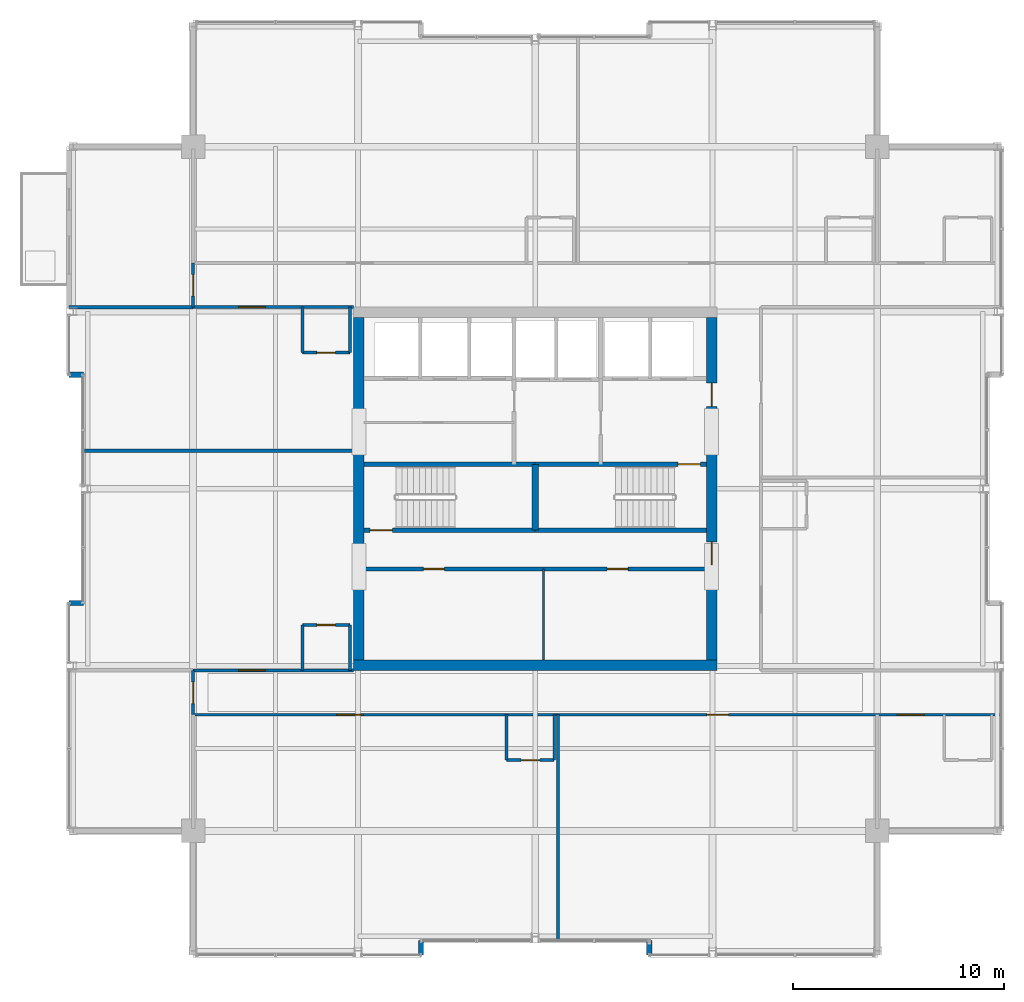
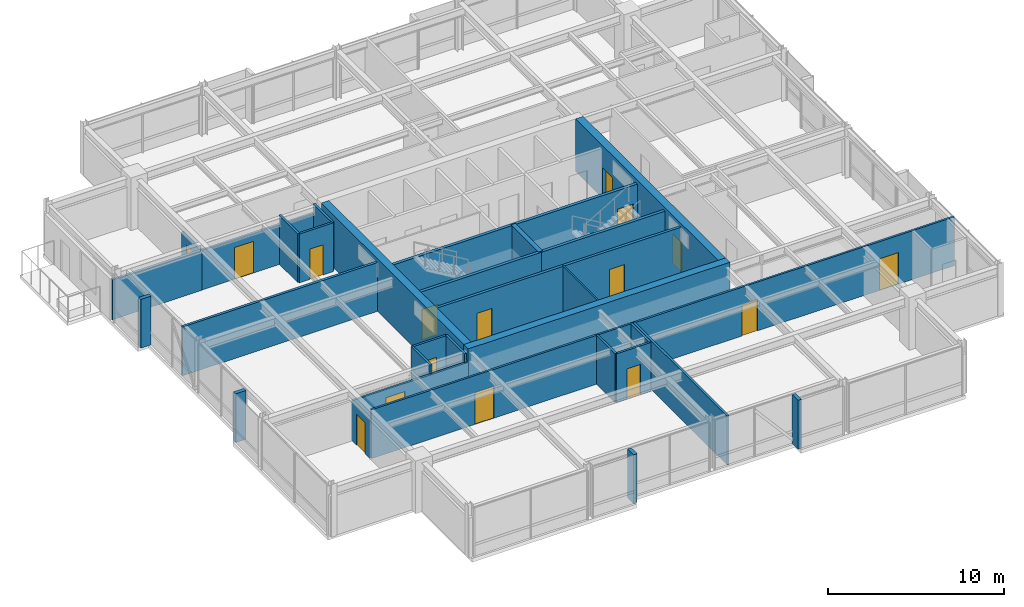
# One storey, part 28 of 33: 31 walls, 16 doors, 16 openings.
"""IFC4 building model written with IfcOpenShell, lengths in metres."""

from ifc_helpers import new_model, si_unit, direction, frame, frame_2d, origin, place, context, subcontext, project, spatial, rectangle, extrude, material, layer, layer_set, type_object, element, fill, save


model = new_model("IFC4")

# Units and contexts
model_context = context("Model", 3, precision=1e-05, world=origin(), true_north=direction((0.0, 1.0)))
body_context = subcontext(model_context, "Body", "Model", "MODEL_VIEW")
ifc_project = project(units=[si_unit("LENGTHUNIT", "METRE"), si_unit("AREAUNIT", "SQUARE_METRE"), si_unit("VOLUMEUNIT", "CUBIC_METRE"), si_unit("PLANEANGLEUNIT", "RADIAN"), si_unit("MASSUNIT", "GRAM", prefix="KILO")], contexts=[model_context])

# Site, building, storey
site_placement = place(None, origin())
site = spatial("IfcSite", under=ifc_project, at=site_placement, CompositionType="ELEMENT")
building_placement = place(site_placement, origin())
building = spatial("IfcBuilding", under=site, at=building_placement, Name="Drelvath Grand Hotel", CompositionType="ELEMENT")
storey_placement = place(building_placement, frame((0.0, 0.0, 279.60009765625)))
storey = spatial("IfcBuildingStorey", under=building, at=storey_placement, Name="L73", CompositionType="ELEMENT", Elevation=279.60009765625)

# Wall
ifc_material_1 = material(Name="Gypsum Partition Board")
ifc_layer_1 = layer(ifc_material_1, 0.10009765625)
ifc_layer_set_1 = layer_set([ifc_layer_1], Name="Gypsum Partition Board")
wall_type_1 = type_object("IfcWallType", Name="Core Closet Partition 100", PredefinedType="PARTITIONING", material=ifc_layer_set_1)
wall_1_placement = place(storey_placement, frame((0.39990234375, 18.89990234375, 0.0), z_axis=(0.0, 0.0, 1.0), x_axis=(0.0, 1.0, 0.0)))
element("IfcWall", 1, at=wall_1_placement, inside=storey, type_object=wall_type_1, Name="L73 Upper Core Split 0", PredefinedType="PARTITIONING", context=body_context, shape_type="SweptSolid", body=[
    extrude(rectangle(XDim=4.300048828125, YDim=0.10009765625, at=frame_2d((2.14990234375, 0.0))), origin(), (0.0, 0.0, 1.0), 3.389892578125),
])

# Wall, opening, door
ifc_material_2 = material(Name="Concrete C40/50", Category="concrete")
ifc_layer_2 = layer(ifc_material_2, 0.199951171875)
ifc_layer_set_2 = layer_set([ifc_layer_2], Name="Concrete C40/50")
wall_type_2 = type_object("IfcWallType", Name="Core Shaft Fire Wall 200", PredefinedType="SOLIDWALL", material=ifc_layer_set_2)
wall_2_placement = place(storey_placement, frame((-8.10009765625, 25.0400390625, 0.0), z_axis=(0.0, 0.0, 1.0), x_axis=(1.0, 0.0, 0.0)))
wall_2 = element("IfcWall", 2, at=wall_2_placement, inside=storey, type_object=wall_type_2, Name="L73 Stair ST-1 South Wall", PredefinedType="SOLIDWALL", context=body_context, shape_type="SweptSolid", body=[
    extrude(rectangle(XDim=8.10009765625, YDim=0.199951171875, at=frame_2d((4.050048828125, 0.0))), origin(), (0.0, 0.0, 1.0), 3.389892578125),
])
opening_1_placement = place(wall_2_placement, frame((0.280029296875, 0.0, 0.0)))
opening_1 = element("IfcOpeningElement", 3, at=opening_1_placement, cuts=wall_2, Name="Opening D-T5G2-001", PredefinedType="OPENING", context=body_context, shape_type="SweptSolid", body=[
    extrude(rectangle(XDim=1.050048828125, YDim=2.10009765625, at=frame_2d((0.52490234375, 1.050048828125))), frame((0.0, 0.10986328125, 0.0), z_axis=(0.0, -1.0, 0.0), x_axis=(1.0, 0.0, 0.0)), (0.0, 0.0, 1.0), 0.219970703125),
])
ifc_material_3 = material(Name="Painted Steel S275", Category="steel")
door_type_1 = type_object("IfcDoorType", Name="Tower Stairwell Fire Door 1050x2100", OperationType="NOTDEFINED", PredefinedType="DOOR", material=ifc_material_3)
door_1_placement = place(opening_1_placement, origin())
door_1 = element("IfcDoor", 4, at=door_1_placement, inside=storey, type_object=door_type_1, Name="L73 Exit Stair ST-1 Door", OperationType="SINGLE_SWING_LEFT", OverallHeight=2.10009765625, OverallWidth=1.050048828125, PredefinedType="DOOR", context=body_context, shape_type="SweptSolid", body=[
    extrude(rectangle(XDim=1.050048828125, YDim=2.10009765625, at=frame_2d((0.52490234375, 1.050048828125))), frame((0.0, 0.02490234375, 0.0), z_axis=(0.0, -1.0, 0.0), x_axis=(1.0, 0.0, 0.0)), (0.0, 0.0, 1.0), 0.050048828125),
])
fill(opening_1, door_1)

# Walls
for number, where, z_axis, x_axis, name in (
    (5, (-8.10009765625, 28.159912109375, 0.0), (0.0, 0.0, 1.0), (1.0, 0.0, 0.0), "L73 Stair ST-1 North Wall"),
    (6, (0.0, 25.0400390625, 0.0), (0.0, 0.0, 1.0), (1.0, 0.0, 0.0), "L73 Stair ST-2 South Wall"),
):
    element("IfcWall", number, at=place(storey_placement, frame(where, z_axis=z_axis, x_axis=x_axis)), inside=storey, type_object=wall_type_2, Name=name, PredefinedType="SOLIDWALL", context=body_context, shape_type="SweptSolid", body=[
        extrude(rectangle(XDim=8.10009765625, YDim=0.199951171875, at=frame_2d((4.050048828125, 0.0))), origin(), (0.0, 0.0, 1.0), 3.389892578125),
    ])

# Wall, opening, door
wall_3_placement = place(storey_placement, frame((8.10009765625, 28.159912109375, 0.0), z_axis=(0.0, 0.0, 1.0), x_axis=(-1.0, 0.0, 0.0)))
wall_3 = element("IfcWall", 7, at=wall_3_placement, inside=storey, type_object=wall_type_2, Name="L73 Stair ST-2 North Wall", PredefinedType="SOLIDWALL", context=body_context, shape_type="SweptSolid", body=[
    extrude(rectangle(XDim=8.10009765625, YDim=0.199951171875, at=frame_2d((4.050048828125, 0.0))), origin(), (0.0, 0.0, 1.0), 3.389892578125),
])
opening_2_placement = place(wall_3_placement, frame((0.280029296875, 0.0, 0.0)))
opening_2 = element("IfcOpeningElement", 8, at=opening_2_placement, cuts=wall_3, Name="Opening D-T5G2-002", PredefinedType="OPENING", context=body_context, shape_type="SweptSolid", body=[
    extrude(rectangle(XDim=1.050048828125, YDim=2.10009765625, at=frame_2d((0.52490234375, 1.050048828125))), frame((0.0, 0.10986328125, 0.0), z_axis=(0.0, -1.0, 0.0), x_axis=(1.0, 0.0, 0.0)), (0.0, 0.0, 1.0), 0.219970703125),
])
door_2_placement = place(opening_2_placement, origin())
door_2 = element("IfcDoor", 9, at=door_2_placement, inside=storey, type_object=door_type_1, Name="L73 Exit Stair ST-2 Door", OperationType="SINGLE_SWING_LEFT", OverallHeight=2.10009765625, OverallWidth=1.050048828125, PredefinedType="DOOR", context=body_context, shape_type="SweptSolid", body=[
    extrude(rectangle(XDim=1.050048828125, YDim=2.10009765625, at=frame_2d((0.52490234375, 1.050048828125))), frame((0.0, 0.02490234375, 0.0), z_axis=(0.0, -1.0, 0.0), x_axis=(1.0, 0.0, 0.0)), (0.0, 0.0, 1.0), 0.050048828125),
])
fill(opening_2, door_2)

# Wall
ifc_layer_3 = layer(ifc_material_2, 0.300048828125)
ifc_layer_set_3 = layer_set([ifc_layer_3], Name="Concrete C40/50")
wall_type_3 = type_object("IfcWallType", Name="Core Shaft Fire Wall 300", PredefinedType="SOLIDWALL", material=ifc_layer_set_3)
wall_4_placement = place(storey_placement, frame((0.0, 25.0400390625, 0.0), z_axis=(0.0, 0.0, 1.0), x_axis=(0.0, 1.0, 0.0)))
element("IfcWall", 10, at=wall_4_placement, inside=storey, type_object=wall_type_3, Name="L73 Core Stair Divider Wall", PredefinedType="SOLIDWALL", context=body_context, shape_type="SweptSolid", body=[
    extrude(rectangle(XDim=3.119873046875, YDim=0.300048828125, at=frame_2d((1.56005859375, 0.0))), origin(), (0.0, 0.0, 1.0), 3.389892578125),
])

# Wall, openings, doors
ifc_material_4 = material(Name="Gypsum Fireboard Partition")
ifc_layer_4 = layer(ifc_material_4, 0.135009765625)
ifc_layer_set_4 = layer_set([ifc_layer_4], Name="Gypsum Fireboard Partition")
wall_type_4 = type_object("IfcWallType", Name="Corridor Fire Barrier Wall 135", PredefinedType="PARTITIONING", material=ifc_layer_set_4)
wall_5_placement = place(storey_placement, frame((-16.199951171875, 16.300048828125, 0.0), z_axis=(0.0, 0.0, 1.0), x_axis=(1.0, 0.0, 0.0)))
wall_5 = element("IfcWall", 11, at=wall_5_placement, inside=storey, type_object=wall_type_4, Name="L73 South Cross-Gallery Wall", PredefinedType="PARTITIONING", context=body_context, shape_type="SweptSolid", body=[
    extrude(rectangle(XDim=38.280029296875, YDim=0.135009765625, at=frame_2d((19.14013671875, 0.0))), origin(), (0.0, 0.0, 1.0), 3.389892578125),
])
opening_3_placement = place(wall_5_placement, frame((33.35498046875, 0.0, 0.0)))
opening_3 = element("IfcOpeningElement", 12, at=opening_3_placement, cuts=wall_5, Name="Opening D-T5G2-020", PredefinedType="OPENING", context=body_context, shape_type="SweptSolid", body=[
    extrude(rectangle(XDim=1.260009765625, YDim=2.199951171875, at=frame_2d((0.6298828125, 1.10009765625))), frame((0.0, 0.077392578125, 0.0), z_axis=(0.0, -1.0, 0.0), x_axis=(1.0, 0.0, 0.0)), (0.0, 0.0, 1.0), 0.155029296875),
])
opening_4_placement = place(wall_5_placement, frame((6.794921875, 0.0, 0.0)))
opening_4 = element("IfcOpeningElement", 13, at=opening_4_placement, cuts=wall_5, Name="Opening D-T5G2-024", PredefinedType="OPENING", context=body_context, shape_type="SweptSolid", body=[
    extrude(rectangle(XDim=1.260009765625, YDim=2.199951171875, at=frame_2d((0.6298828125, 1.10009765625))), frame((0.0, 0.077392578125, 0.0), z_axis=(0.0, -1.0, 0.0), x_axis=(1.0, 0.0, 0.0)), (0.0, 0.0, 1.0), 0.155029296875),
])
opening_5_placement = place(wall_5_placement, frame((24.330078125, 0.0, 0.0)))
opening_5 = element("IfcOpeningElement", 14, at=opening_5_placement, cuts=wall_5, Name="Opening D-T5G2-025", PredefinedType="OPENING", context=body_context, shape_type="SweptSolid", body=[
    extrude(rectangle(XDim=1.02001953125, YDim=2.14990234375, at=frame_2d((0.510009765625, 1.074951171875))), frame((0.0, 0.077392578125, 0.0), z_axis=(0.0, -1.0, 0.0), x_axis=(1.0, 0.0, 0.0)), (0.0, 0.0, 1.0), 0.155029296875),
])
ifc_material_5 = material(Name="Hardwood Walnut Timber", Category="wood")
door_type_2 = type_object("IfcDoorType", Name="Amenity Meeting Fire Door 1020x2150", OperationType="NOTDEFINED", PredefinedType="DOOR", material=ifc_material_5)
door_3_placement = place(opening_5_placement, origin())
door_3 = element("IfcDoor", 15, at=door_3_placement, inside=storey, type_object=door_type_2, Name="L73 Presidential Boardroom Entry Door", OperationType="SINGLE_SWING_RIGHT", OverallHeight=2.14990234375, OverallWidth=1.02001953125, PredefinedType="DOOR", context=body_context, shape_type="SweptSolid", body=[
    extrude(rectangle(XDim=1.02001953125, YDim=2.14990234375, at=frame_2d((0.510009765625, 1.074951171875))), frame((0.0, 0.02490234375, 0.0), z_axis=(0.0, -1.0, 0.0), x_axis=(1.0, 0.0, 0.0)), (0.0, 0.0, 1.0), 0.050048828125),
])
fill(opening_5, door_3)
door_type_3 = type_object("IfcDoorType", Name="Suite Entrance Fire Door 1260x2200", OperationType="NOTDEFINED", PredefinedType="DOOR", material=ifc_material_5)
door_4_placement = place(opening_3_placement, origin())
door_4 = element("IfcDoor", 16, at=door_4_placement, inside=storey, type_object=door_type_3, Name="L73 Royal Suite Entry Door", OperationType="SINGLE_SWING_LEFT", OverallHeight=2.199951171875, OverallWidth=1.260009765625, PredefinedType="DOOR", context=body_context, shape_type="SweptSolid", body=[
    extrude(rectangle(XDim=1.260009765625, YDim=2.199951171875, at=frame_2d((0.6298828125, 1.10009765625))), frame((0.0, 0.02490234375, 0.0), z_axis=(0.0, -1.0, 0.0), x_axis=(1.0, 0.0, 0.0)), (0.0, 0.0, 1.0), 0.050048828125),
])
fill(opening_3, door_4)
door_5_placement = place(opening_4_placement, origin())
door_5 = element("IfcDoor", 17, at=door_5_placement, inside=storey, type_object=door_type_3, Name="L73 Royal Suite Entry Door", OperationType="SINGLE_SWING_LEFT", OverallHeight=2.199951171875, OverallWidth=1.260009765625, PredefinedType="DOOR", context=body_context, shape_type="SweptSolid", body=[
    extrude(rectangle(XDim=1.260009765625, YDim=2.199951171875, at=frame_2d((0.6298828125, 1.10009765625))), frame((0.0, 0.02490234375, 0.0), z_axis=(0.0, -1.0, 0.0), x_axis=(1.0, 0.0, 0.0)), (0.0, 0.0, 1.0), 0.050048828125),
])
fill(opening_4, door_5)

# Wall, opening, door
wall_6_placement = place(storey_placement, frame((-16.199951171875, 18.39990234375, 0.0), z_axis=(0.0, 0.0, 1.0), x_axis=(1.0, 0.0, 0.0)))
wall_6 = element("IfcWall", 18, at=wall_6_placement, inside=storey, type_object=wall_type_4, Name="L73 South Gallery Inner West Wall", PredefinedType="PARTITIONING", context=body_context, shape_type="SweptSolid", body=[
    extrude(rectangle(XDim=7.599853515625, YDim=0.135009765625, at=frame_2d((3.7998046875, 0.0))), origin(), (0.0, 0.0, 1.0), 2.767333984375),
])
opening_6_placement = place(wall_6_placement, frame((2.155029296875, 0.0, 0.0)))
opening_6 = element("IfcOpeningElement", 19, at=opening_6_placement, cuts=wall_6, Name="Opening D-T5G2-034", PredefinedType="OPENING", context=body_context, shape_type="SweptSolid", body=[
    extrude(rectangle(XDim=1.260009765625, YDim=2.199951171875, at=frame_2d((0.6298828125, 1.10009765625))), frame((0.0, 0.077392578125, 0.0), z_axis=(0.0, -1.0, 0.0), x_axis=(1.0, 0.0, 0.0)), (0.0, 0.0, 1.0), 0.155029296875),
])
door_6_placement = place(opening_6_placement, origin())
door_6 = element("IfcDoor", 20, at=door_6_placement, inside=storey, type_object=door_type_3, Name="L73 Royal Suite Entry Door", OperationType="SINGLE_SWING_LEFT", OverallHeight=2.199951171875, OverallWidth=1.260009765625, PredefinedType="DOOR", context=body_context, shape_type="SweptSolid", body=[
    extrude(rectangle(XDim=1.260009765625, YDim=2.199951171875, at=frame_2d((0.6298828125, 1.10009765625))), frame((0.0, 0.02490234375, 0.0), z_axis=(0.0, -1.0, 0.0), x_axis=(1.0, 0.0, 0.0)), (0.0, 0.0, 1.0), 0.050048828125),
])
fill(opening_6, door_6)

wall_7_placement = place(storey_placement, frame((-16.199951171875, 35.60009765625, 0.0), z_axis=(0.0, 0.0, 1.0), x_axis=(1.0, 0.0, 0.0)))
wall_7 = element("IfcWall", 21, at=wall_7_placement, inside=storey, type_object=wall_type_4, Name="L73 North Gallery Inner West Wall", PredefinedType="PARTITIONING", context=body_context, shape_type="SweptSolid", body=[
    extrude(rectangle(XDim=7.599853515625, YDim=0.135009765625, at=frame_2d((3.7998046875, 0.0))), origin(), (0.0, 0.0, 1.0), 2.767333984375),
])
opening_7_placement = place(wall_7_placement, frame((2.155029296875, 0.0, 0.0)))
opening_7 = element("IfcOpeningElement", 22, at=opening_7_placement, cuts=wall_7, Name="Opening D-T5G2-036", PredefinedType="OPENING", context=body_context, shape_type="SweptSolid", body=[
    extrude(rectangle(XDim=1.260009765625, YDim=2.199951171875, at=frame_2d((0.6298828125, 1.10009765625))), frame((0.0, 0.077392578125, 0.0), z_axis=(0.0, -1.0, 0.0), x_axis=(1.0, 0.0, 0.0)), (0.0, 0.0, 1.0), 0.155029296875),
])
door_7_placement = place(opening_7_placement, origin())
door_7 = element("IfcDoor", 23, at=door_7_placement, inside=storey, type_object=door_type_3, Name="L73 Royal Suite Entry Door", OperationType="SINGLE_SWING_LEFT", OverallHeight=2.199951171875, OverallWidth=1.260009765625, PredefinedType="DOOR", context=body_context, shape_type="SweptSolid", body=[
    extrude(rectangle(XDim=1.260009765625, YDim=2.199951171875, at=frame_2d((0.6298828125, 1.10009765625))), frame((0.0, 0.02490234375, 0.0), z_axis=(0.0, -1.0, 0.0), x_axis=(1.0, 0.0, 0.0)), (0.0, 0.0, 1.0), 0.050048828125),
])
fill(opening_7, door_7)

wall_8_placement = place(storey_placement, frame((-16.199951171875, 16.300048828125, 0.0), z_axis=(0.0, 0.0, 1.0), x_axis=(0.0, 1.0, 0.0)))
wall_8 = element("IfcWall", 24, at=wall_8_placement, inside=storey, type_object=wall_type_4, Name="L73 South Gallery West End", PredefinedType="PARTITIONING", context=body_context, shape_type="SweptSolid", body=[
    extrude(rectangle(XDim=2.099853515625, YDim=0.135009765625, at=frame_2d((1.0498046875, 0.0))), origin(), (0.0, 0.0, 1.0), 2.763916015625),
])
opening_8_placement = place(wall_8_placement, frame((0.52001953125, 0.0, 0.0)))
opening_8 = element("IfcOpeningElement", 25, at=opening_8_placement, cuts=wall_8, Name="Opening D-T5G2-017", PredefinedType="OPENING", context=body_context, shape_type="SweptSolid", body=[
    extrude(rectangle(XDim=1.02001953125, YDim=2.14990234375, at=frame_2d((0.510009765625, 1.074951171875))), frame((0.0, 0.077392578125, 0.0), z_axis=(0.0, -1.0, 0.0), x_axis=(1.0, 0.0, 0.0)), (0.0, 0.0, 1.0), 0.155029296875),
])
door_8_placement = place(opening_8_placement, origin())
door_8 = element("IfcDoor", 26, at=door_8_placement, inside=storey, type_object=door_type_2, Name="L73 Corner Panorama Lounge Door", OperationType="SINGLE_SWING_RIGHT", OverallHeight=2.14990234375, OverallWidth=1.02001953125, PredefinedType="DOOR", context=body_context, shape_type="SweptSolid", body=[
    extrude(rectangle(XDim=1.02001953125, YDim=2.14990234375, at=frame_2d((0.510009765625, 1.074951171875))), frame((0.0, 0.02490234375, 0.0), z_axis=(0.0, -1.0, 0.0), x_axis=(1.0, 0.0, 0.0)), (0.0, 0.0, 1.0), 0.050048828125),
])
fill(opening_8, door_8)

wall_9_placement = place(storey_placement, frame((-16.199951171875, 35.60009765625, 0.0), z_axis=(0.0, 0.0, 1.0), x_axis=(0.0, 1.0, 0.0)))
wall_9 = element("IfcWall", 27, at=wall_9_placement, inside=storey, type_object=wall_type_4, Name="L73 North Gallery West End", PredefinedType="PARTITIONING", context=body_context, shape_type="SweptSolid", body=[
    extrude(rectangle(XDim=2.099853515625, YDim=0.135009765625, at=frame_2d((1.0498046875, 0.0))), origin(), (0.0, 0.0, 1.0), 2.763916015625),
])
opening_9_placement = place(wall_9_placement, frame((0.52001953125, 0.0, 0.0)))
opening_9 = element("IfcOpeningElement", 28, at=opening_9_placement, cuts=wall_9, Name="Opening D-T5G2-018", PredefinedType="OPENING", context=body_context, shape_type="SweptSolid", body=[
    extrude(rectangle(XDim=1.02001953125, YDim=2.14990234375, at=frame_2d((0.510009765625, 1.074951171875))), frame((0.0, 0.077392578125, 0.0), z_axis=(0.0, -1.0, 0.0), x_axis=(1.0, 0.0, 0.0)), (0.0, 0.0, 1.0), 0.155029296875),
])
door_9_placement = place(opening_9_placement, origin())
door_9 = element("IfcDoor", 29, at=door_9_placement, inside=storey, type_object=door_type_2, Name="L73 Corner Panorama Lounge Door", OperationType="SINGLE_SWING_LEFT", OverallHeight=2.14990234375, OverallWidth=1.02001953125, PredefinedType="DOOR", context=body_context, shape_type="SweptSolid", body=[
    extrude(rectangle(XDim=1.02001953125, YDim=2.14990234375, at=frame_2d((0.510009765625, 1.074951171875))), frame((0.0, 0.02490234375, 0.0), z_axis=(0.0, -1.0, 0.0), x_axis=(1.0, 0.0, 0.0)), (0.0, 0.0, 1.0), 0.050048828125),
])
fill(opening_9, door_9)

# Walls
ifc_material_6 = material(Name="Moisture-Resistant Gypsum Board")
ifc_layer_5 = layer(ifc_material_6, 0.139892578125)
ifc_layer_set_5 = layer_set([ifc_layer_5], Name="Moisture-Resistant Gypsum Board")
wall_type_5 = type_object("IfcWallType", Name="En-Suite Plumbing Wall 140", PredefinedType="PLUMBINGWALL", material=ifc_layer_set_5)
for number, where, z_axis, x_axis, name in (
    (30, (-1.35009765625, 16.300048828125, 0.0), (0.0, 0.0, 1.0), (0.0, -1.0, 0.0), "L73 En-Suite Left Wall"),
    (31, (0.89990234375, 16.300048828125, 0.0), (0.0, 0.0, 1.0), (0.0, -1.0, 0.0), "L73 En-Suite Right Wall"),
):
    element("IfcWall", number, at=place(storey_placement, frame(where, z_axis=z_axis, x_axis=x_axis)), inside=storey, type_object=wall_type_5, Name=name, PredefinedType="PLUMBINGWALL", context=body_context, shape_type="SweptSolid", body=[
        extrude(rectangle(XDim=2.150146484375, YDim=0.139892578125, at=frame_2d((1.0751953125, 0.0))), origin(), (0.0, 0.0, 1.0), 3.389892578125),
    ])

# Wall, opening, door
wall_10_placement = place(storey_placement, frame((-1.35009765625, 14.14990234375, 0.0), z_axis=(0.0, 0.0, 1.0), x_axis=(1.0, 0.0, 0.0)))
wall_10 = element("IfcWall", 32, at=wall_10_placement, inside=storey, type_object=wall_type_5, Name="L73 En-Suite Front Wall", PredefinedType="PLUMBINGWALL", context=body_context, shape_type="SweptSolid", body=[
    extrude(rectangle(XDim=2.25, YDim=0.139892578125, at=frame_2d((1.125, 0.0))), origin(), (0.0, 0.0, 1.0), 3.389892578125),
])
opening_10_placement = place(wall_10_placement, frame((0.68505859375, 0.0, 0.0)))
opening_10 = element("IfcOpeningElement", 33, at=opening_10_placement, cuts=wall_10, Name="Opening D-T5G2-023", PredefinedType="OPENING", context=body_context, shape_type="SweptSolid", body=[
    extrude(rectangle(XDim=0.8798828125, YDim=2.10009765625, at=frame_2d((0.43994140625, 1.050048828125))), frame((0.0, 0.079833984375, 0.0), z_axis=(0.0, -1.0, 0.0), x_axis=(1.0, 0.0, 0.0)), (0.0, 0.0, 1.0), 0.159912109375),
])
door_type_4 = type_object("IfcDoorType", Name="En-Suite Bathroom Door 880x2100", OperationType="NOTDEFINED", PredefinedType="DOOR", material=ifc_material_5)
door_10_placement = place(opening_10_placement, origin())
door_10 = element("IfcDoor", 34, at=door_10_placement, inside=storey, type_object=door_type_4, Name="L73 En-Suite Bathroom Door", OperationType="SINGLE_SWING_RIGHT", OverallHeight=2.10009765625, OverallWidth=0.8798828125, PredefinedType="DOOR", context=body_context, shape_type="SweptSolid", body=[
    extrude(rectangle(XDim=0.8798828125, YDim=2.10009765625, at=frame_2d((0.43994140625, 1.050048828125))), frame((0.0, 0.02490234375, 0.0), z_axis=(0.0, -1.0, 0.0), x_axis=(1.0, 0.0, 0.0)), (0.0, 0.0, 1.0), 0.050048828125),
])
fill(opening_10, door_10)

# Walls
for number, where, z_axis, x_axis, name in (
    (35, (-11.030029296875, 18.39990234375, 0.0), (0.0, 0.0, 1.0), (0.0, 1.0, 0.0), "L73 En-Suite Left Wall"),
    (36, (-8.780029296875, 18.39990234375, 0.0), (0.0, 0.0, 1.0), (0.0, 1.0, 0.0), "L73 En-Suite Right Wall"),
):
    element("IfcWall", number, at=place(storey_placement, frame(where, z_axis=z_axis, x_axis=x_axis)), inside=storey, type_object=wall_type_5, Name=name, PredefinedType="PLUMBINGWALL", context=body_context, shape_type="SweptSolid", body=[
        extrude(rectangle(XDim=2.150146484375, YDim=0.139892578125, at=frame_2d((1.0751953125, 0.0))), origin(), (0.0, 0.0, 1.0), 3.389892578125),
    ])

# Wall, opening, door
wall_11_placement = place(storey_placement, frame((-11.030029296875, 20.550048828125, 0.0), z_axis=(0.0, 0.0, 1.0), x_axis=(1.0, 0.0, 0.0)))
wall_11 = element("IfcWall", 37, at=wall_11_placement, inside=storey, type_object=wall_type_5, Name="L73 En-Suite Front Wall", PredefinedType="PLUMBINGWALL", context=body_context, shape_type="SweptSolid", body=[
    extrude(rectangle(XDim=2.25, YDim=0.139892578125, at=frame_2d((1.125, 0.0))), origin(), (0.0, 0.0, 1.0), 3.389892578125),
])
opening_11_placement = place(wall_11_placement, frame((0.68505859375, 0.0, 0.0)))
opening_11 = element("IfcOpeningElement", 38, at=opening_11_placement, cuts=wall_11, Name="Opening D-T5G2-033", PredefinedType="OPENING", context=body_context, shape_type="SweptSolid", body=[
    extrude(rectangle(XDim=0.8798828125, YDim=2.10009765625, at=frame_2d((0.43994140625, 1.050048828125))), frame((0.0, 0.079833984375, 0.0), z_axis=(0.0, -1.0, 0.0), x_axis=(1.0, 0.0, 0.0)), (0.0, 0.0, 1.0), 0.159912109375),
])
door_11_placement = place(opening_11_placement, origin())
door_11 = element("IfcDoor", 39, at=door_11_placement, inside=storey, type_object=door_type_4, Name="L73 En-Suite Bathroom Door", OperationType="SINGLE_SWING_RIGHT", OverallHeight=2.10009765625, OverallWidth=0.8798828125, PredefinedType="DOOR", context=body_context, shape_type="SweptSolid", body=[
    extrude(rectangle(XDim=0.8798828125, YDim=2.10009765625, at=frame_2d((0.43994140625, 1.050048828125))), frame((0.0, 0.02490234375, 0.0), z_axis=(0.0, -1.0, 0.0), x_axis=(1.0, 0.0, 0.0)), (0.0, 0.0, 1.0), 0.050048828125),
])
fill(opening_11, door_11)

# Walls
for number, where, z_axis, x_axis, name in (
    (40, (-11.030029296875, 35.60009765625, 0.0), (0.0, 0.0, 1.0), (0.0, -1.0, 0.0), "L73 En-Suite Left Wall"),
    (41, (-8.780029296875, 35.60009765625, 0.0), (0.0, 0.0, 1.0), (0.0, -1.0, 0.0), "L73 En-Suite Right Wall"),
):
    element("IfcWall", number, at=place(storey_placement, frame(where, z_axis=z_axis, x_axis=x_axis)), inside=storey, type_object=wall_type_5, Name=name, PredefinedType="PLUMBINGWALL", context=body_context, shape_type="SweptSolid", body=[
        extrude(rectangle(XDim=2.150146484375, YDim=0.139892578125, at=frame_2d((1.0751953125, 0.0))), origin(), (0.0, 0.0, 1.0), 3.389892578125),
    ])

# Wall, opening, door
wall_12_placement = place(storey_placement, frame((-11.030029296875, 33.449951171875, 0.0), z_axis=(0.0, 0.0, 1.0), x_axis=(1.0, 0.0, 0.0)))
wall_12 = element("IfcWall", 42, at=wall_12_placement, inside=storey, type_object=wall_type_5, Name="L73 En-Suite Front Wall", PredefinedType="PLUMBINGWALL", context=body_context, shape_type="SweptSolid", body=[
    extrude(rectangle(XDim=2.25, YDim=0.139892578125, at=frame_2d((1.125, 0.0))), origin(), (0.0, 0.0, 1.0), 3.389892578125),
])
opening_12_placement = place(wall_12_placement, frame((0.68505859375, 0.0, 0.0)))
opening_12 = element("IfcOpeningElement", 43, at=opening_12_placement, cuts=wall_12, Name="Opening D-T5G2-035", PredefinedType="OPENING", context=body_context, shape_type="SweptSolid", body=[
    extrude(rectangle(XDim=0.8798828125, YDim=2.10009765625, at=frame_2d((0.43994140625, 1.050048828125))), frame((0.0, 0.079833984375, 0.0), z_axis=(0.0, -1.0, 0.0), x_axis=(1.0, 0.0, 0.0)), (0.0, 0.0, 1.0), 0.159912109375),
])
door_12_placement = place(opening_12_placement, origin())
door_12 = element("IfcDoor", 44, at=door_12_placement, inside=storey, type_object=door_type_4, Name="L73 En-Suite Bathroom Door", OperationType="SINGLE_SWING_RIGHT", OverallHeight=2.10009765625, OverallWidth=0.8798828125, PredefinedType="DOOR", context=body_context, shape_type="SweptSolid", body=[
    extrude(rectangle(XDim=0.8798828125, YDim=2.10009765625, at=frame_2d((0.43994140625, 1.050048828125))), frame((0.0, 0.02490234375, 0.0), z_axis=(0.0, -1.0, 0.0), x_axis=(1.0, 0.0, 0.0)), (0.0, 0.0, 1.0), 0.050048828125),
])
fill(opening_12, door_12)

# Wall, openings, doors
ifc_layer_6 = layer(ifc_material_4, 0.179931640625)
ifc_layer_set_6 = layer_set([ifc_layer_6], Name="Gypsum Fireboard Partition")
wall_type_6 = type_object("IfcWallType", Name="FSAE Smoke Lobby Fire Wall 180", PredefinedType="SOLIDWALL", material=ifc_layer_set_6)
wall_13_placement = place(storey_placement, frame((-8.10009765625, 23.199951171875, 0.0), z_axis=(0.0, 0.0, 1.0), x_axis=(1.0, 0.0, 0.0)))
wall_13 = element("IfcWall", 45, at=wall_13_placement, inside=storey, type_object=wall_type_6, Name="L73 Upper Reclaimed Core Wall", PredefinedType="SOLIDWALL", context=body_context, shape_type="SweptSolid", body=[
    extrude(rectangle(XDim=16.2001953125, YDim=0.179931640625, at=frame_2d((8.10009765625, 0.0))), origin(), (0.0, 0.0, 1.0), 3.389892578125),
])
opening_13_placement = place(wall_13_placement, frame((2.800048828125, 0.0, 0.0)))
opening_13 = element("IfcOpeningElement", 46, at=opening_13_placement, cuts=wall_13, Name="Opening D-T5G2-015", PredefinedType="OPENING", context=body_context, shape_type="SweptSolid", body=[
    extrude(rectangle(XDim=1.0, YDim=2.10009765625, at=frame_2d((0.5, 1.050048828125))), frame((0.0, 0.099853515625, 0.0), z_axis=(0.0, -1.0, 0.0), x_axis=(1.0, 0.0, 0.0)), (0.0, 0.0, 1.0), 0.199951171875),
])
opening_14_placement = place(wall_13_placement, frame((11.5, 0.0, 0.0)))
opening_14 = element("IfcOpeningElement", 47, at=opening_14_placement, cuts=wall_13, Name="Opening D-T5G2-016", PredefinedType="OPENING", context=body_context, shape_type="SweptSolid", body=[
    extrude(rectangle(XDim=1.0, YDim=2.10009765625, at=frame_2d((0.5, 1.050048828125))), frame((0.0, 0.099853515625, 0.0), z_axis=(0.0, -1.0, 0.0), x_axis=(1.0, 0.0, 0.0)), (0.0, 0.0, 1.0), 0.199951171875),
])
door_type_5 = type_object("IfcDoorType", Name="Core Service Fire Door 1000x2100", OperationType="NOTDEFINED", PredefinedType="DOOR", material=ifc_material_3)
door_13_placement = place(opening_13_placement, origin())
door_13 = element("IfcDoor", 48, at=door_13_placement, inside=storey, type_object=door_type_5, Name="L73 Housekeeping Door", OperationType="SINGLE_SWING_RIGHT", OverallHeight=2.10009765625, OverallWidth=1.0, PredefinedType="DOOR", context=body_context, shape_type="SweptSolid", body=[
    extrude(rectangle(XDim=1.0, YDim=2.10009765625, at=frame_2d((0.5, 1.050048828125))), frame((0.0, 0.02490234375, 0.0), z_axis=(0.0, -1.0, 0.0), x_axis=(1.0, 0.0, 0.0)), (0.0, 0.0, 1.0), 0.050048828125),
])
fill(opening_13, door_13)
door_14_placement = place(opening_14_placement, origin())
door_14 = element("IfcDoor", 49, at=door_14_placement, inside=storey, type_object=door_type_5, Name="L73 Butler Pantry Door", OperationType="SINGLE_SWING_LEFT", OverallHeight=2.10009765625, OverallWidth=1.0, PredefinedType="DOOR", context=body_context, shape_type="SweptSolid", body=[
    extrude(rectangle(XDim=1.0, YDim=2.10009765625, at=frame_2d((0.5, 1.050048828125))), frame((0.0, 0.02490234375, 0.0), z_axis=(0.0, -1.0, 0.0), x_axis=(1.0, 0.0, 0.0)), (0.0, 0.0, 1.0), 0.050048828125),
])
fill(opening_14, door_14)

# Walls
ifc_material_7 = material(Name="Gypsum Acoustic Partition")
ifc_layer_7 = layer(ifc_material_7, 0.14990234375)
ifc_layer_set_7 = layer_set([ifc_layer_7], Name="Gypsum Acoustic Partition")
wall_type_7 = type_object("IfcWallType", Name="Guestroom Demising Wall 150", PredefinedType="PARTITIONING", material=ifc_layer_set_7)
wall_14_placement = place(storey_placement, frame((1.080078125, 5.60009765625, 0.0), z_axis=(0.0, 0.0, 1.0), x_axis=(0.0, 1.0, 0.0)))
element("IfcWall", 50, at=wall_14_placement, inside=storey, type_object=wall_type_7, Name="L73 South Demising 1", PredefinedType="PARTITIONING", context=body_context, shape_type="SweptSolid", body=[
    extrude(rectangle(XDim=10.699951171875, YDim=0.14990234375, at=frame_2d((5.35009765625, 0.0))), origin(), (0.0, 0.0, 1.0), 3.389892578125),
])
ifc_layer_8 = layer(ifc_material_7, 0.1650390625)
ifc_layer_set_8 = layer_set([ifc_layer_8], Name="Gypsum Acoustic Partition")
wall_type_8 = type_object("IfcWallType", Name="Suite Demising Wall 165", PredefinedType="PARTITIONING", material=ifc_layer_set_8)
wall_15_placement = place(storey_placement, frame((-22.080078125, 35.60009765625, 0.0), z_axis=(0.0, 0.0, 1.0), x_axis=(1.0, 0.0, 0.0)))
element("IfcWall", 51, at=wall_15_placement, inside=storey, type_object=wall_type_8, Name="L73 NW Corner South Wall", PredefinedType="PARTITIONING", context=body_context, shape_type="SweptSolid", body=[
    extrude(rectangle(XDim=5.880126953125, YDim=0.1650390625, at=frame_2d((2.93994140625, 0.0))), origin(), (0.0, 0.0, 1.0), 2.763916015625),
])
wall_16_placement = place(storey_placement, frame((-21.39990234375, 28.800048828125, 0.0), z_axis=(0.0, 0.0, 1.0), x_axis=(1.0, 0.0, 0.0)))
element("IfcWall", 52, at=wall_16_placement, inside=storey, type_object=wall_type_8, Name="L73 West Grand Suite Split Wall", PredefinedType="PARTITIONING", context=body_context, shape_type="SweptSolid", body=[
    extrude(rectangle(XDim=12.7998046875, YDim=0.1650390625, at=frame_2d((6.39990234375, 0.0))), origin(), (0.0, 0.0, 1.0), 3.389892578125),
])
ifc_material_8 = material(Name="Pale-Metal Insulated Aluminium Spandrel Assembly", Category="aluminium")
ifc_layer_9 = layer(ifc_material_8, 0.239990234375)
ifc_layer_set_9 = layer_set([ifc_layer_9], Name="Pale-Metal Insulated Aluminium Spandrel Assembly")
wall_type_9 = type_object("IfcWallType", Name="Tower Insulated Metal Spandrel Closure Wall 240", PredefinedType="STANDARD", material=ifc_layer_set_9)
for number, where, z_axis, x_axis, name in (
    (53, (-22.080078125, 21.60009765625, 0.0), (0.0, 0.0, 1.0), (1.0, 0.0, 0.0), "L73 Notched Corner Return Spandrel Wall RW1"),
    (54, (-21.39990234375, 32.39990234375, 0.0), (0.0, 0.0, 1.0), (-1.0, 0.0, 0.0), "L73 Notched Corner Return Spandrel Wall RW2"),
    (55, (5.39990234375, 4.919921875, 0.0), (0.0, 0.0, 1.0), (0.0, 1.0, 0.0), "L73 Notched Corner Return Spandrel Wall RS1"),
    (56, (-5.39990234375, 5.60009765625, 0.0), (0.0, 0.0, 1.0), (0.0, -1.0, 0.0), "L73 Notched Corner Return Spandrel Wall RS2"),
):
    element("IfcWall", number, at=place(storey_placement, frame(where, z_axis=z_axis, x_axis=x_axis)), inside=storey, type_object=wall_type_9, Name=name, PredefinedType="STANDARD", context=body_context, shape_type="SweptSolid", body=[
        extrude(rectangle(XDim=0.68017578125, YDim=0.239990234375, at=frame_2d((0.340087890625, 0.0))), origin(), (0.0, 0.0, 1.0), 3.389892578125),
    ])

# Wall, openings, doors
ifc_material_9 = material(Name="Concrete f'c 55 MPa", Category="concrete")
ifc_layer_10 = layer(ifc_material_9, 0.5)
ifc_layer_set_10 = layer_set([ifc_layer_10], Name="Concrete f'c 55 MPa")
wall_type_10 = type_object("IfcWallType", Name="Upper Core RC Shear Wall 500", PredefinedType="SHEAR", material=ifc_layer_set_10)
wall_17_placement = place(storey_placement, frame((8.35009765625, 35.10009765625, 0.0), z_axis=(0.0, 0.0, 1.0), x_axis=(0.0, -1.0, 0.0)))
wall_17 = element("IfcWall", 57, at=wall_17_placement, inside=storey, type_object=wall_type_10, Name="L73 Central Core Shear Wall E", PredefinedType="SHEAR", context=body_context, shape_type="SweptSolid", body=[
    extrude(rectangle(XDim=16.2001953125, YDim=0.5, at=frame_2d((8.10009765625, 0.0))), origin(), (0.0, 0.0, 1.0), 3.64990234375),
])
opening_15_placement = place(wall_17_placement, frame((3.080078125, 0.0, 0.0)))
opening_15 = element("IfcOpeningElement", 58, at=opening_15_placement, cuts=wall_17, Name="Opening D-T5G2-006", PredefinedType="OPENING", context=body_context, shape_type="SweptSolid", body=[
    extrude(rectangle(XDim=1.1201171875, YDim=2.10009765625, at=frame_2d((0.56005859375, 1.050048828125))), frame((0.0, 0.260009765625, 0.0), z_axis=(0.0, -1.0, 0.0), x_axis=(1.0, 0.0, 0.0)), (0.0, 0.0, 1.0), 0.52001953125),
])
opening_16_placement = place(wall_17_placement, frame((10.6201171875, 0.0, 0.0)))
opening_16 = element("IfcOpeningElement", 59, at=opening_16_placement, cuts=wall_17, Name="Opening D-T5G2-014", PredefinedType="OPENING", context=body_context, shape_type="SweptSolid", body=[
    extrude(rectangle(XDim=1.080078125, YDim=2.0400390625, at=frame_2d((0.5400390625, 1.02001953125))), frame((0.0, 0.260009765625, 0.0), z_axis=(0.0, -1.0, 0.0), x_axis=(1.0, 0.0, 0.0)), (0.0, 0.0, 1.0), 0.52001953125),
])
door_type_6 = type_object("IfcDoorType", Name="Core Corridor Fire Door 1080x2100", OperationType="NOTDEFINED", PredefinedType="DOOR", material=ifc_material_3)
door_15_placement = place(opening_16_placement, origin())
door_15 = element("IfcDoor", 60, at=door_15_placement, inside=storey, type_object=door_type_6, Name="L73 Core Passage East Door", OperationType="SINGLE_SWING_LEFT", OverallHeight=2.0400390625, OverallWidth=1.080078125, PredefinedType="DOOR", context=body_context, shape_type="SweptSolid", body=[
    extrude(rectangle(XDim=1.080078125, YDim=2.0400390625, at=frame_2d((0.5400390625, 1.02001953125))), frame((0.0, 0.02490234375, 0.0), z_axis=(0.0, -1.0, 0.0), x_axis=(1.0, 0.0, 0.0)), (0.0, 0.0, 1.0), 0.050048828125),
])
fill(opening_16, door_15)
door_type_7 = type_object("IfcDoorType", Name="FSAE Smoke Lobby Fire Door 1120x2100", OperationType="NOTDEFINED", PredefinedType="DOOR", material=ifc_material_3)
door_16_placement = place(opening_15_placement, origin())
door_16 = element("IfcDoor", 61, at=door_16_placement, inside=storey, type_object=door_type_7, Name="L73 FSAE Lobby East Corridor Door", OperationType="SINGLE_SWING_LEFT", OverallHeight=2.10009765625, OverallWidth=1.1201171875, PredefinedType="DOOR", context=body_context, shape_type="SweptSolid", body=[
    extrude(rectangle(XDim=1.1201171875, YDim=2.10009765625, at=frame_2d((0.56005859375, 1.050048828125))), frame((0.0, 0.02490234375, 0.0), z_axis=(0.0, -1.0, 0.0), x_axis=(1.0, 0.0, 0.0)), (0.0, 0.0, 1.0), 0.050048828125),
])
fill(opening_15, door_16)

# Walls
wall_18_placement = place(storey_placement, frame((8.60009765625, 18.64990234375, 0.0), z_axis=(0.0, 0.0, 1.0), x_axis=(-1.0, 0.0, 0.0)))
element("IfcWall", 62, at=wall_18_placement, inside=storey, type_object=wall_type_10, Name="L73 Central Core Shear Wall S", PredefinedType="SHEAR", context=body_context, shape_type="SweptSolid", body=[
    extrude(rectangle(XDim=17.2001953125, YDim=0.5, at=frame_2d((8.60009765625, 0.0))), origin(), (0.0, 0.0, 1.0), 3.64990234375),
])
wall_19_placement = place(storey_placement, frame((-8.35009765625, 18.89990234375, 0.0), z_axis=(0.0, 0.0, 1.0), x_axis=(0.0, 1.0, 0.0)))
element("IfcWall", 63, at=wall_19_placement, inside=storey, type_object=wall_type_10, Name="L73 Central Core Shear Wall W", PredefinedType="SHEAR", context=body_context, shape_type="SweptSolid", body=[
    extrude(rectangle(XDim=16.2001953125, YDim=0.5, at=frame_2d((8.10009765625, 0.0))), origin(), (0.0, 0.0, 1.0), 3.64990234375),
])

save(model, "model.ifc")
